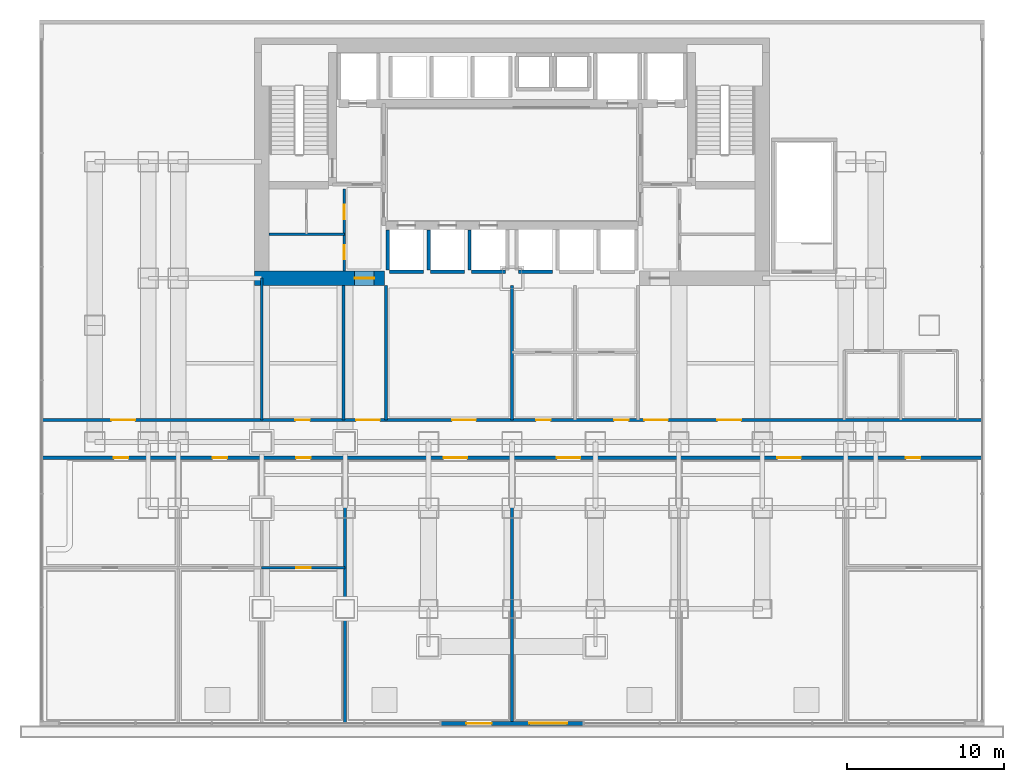
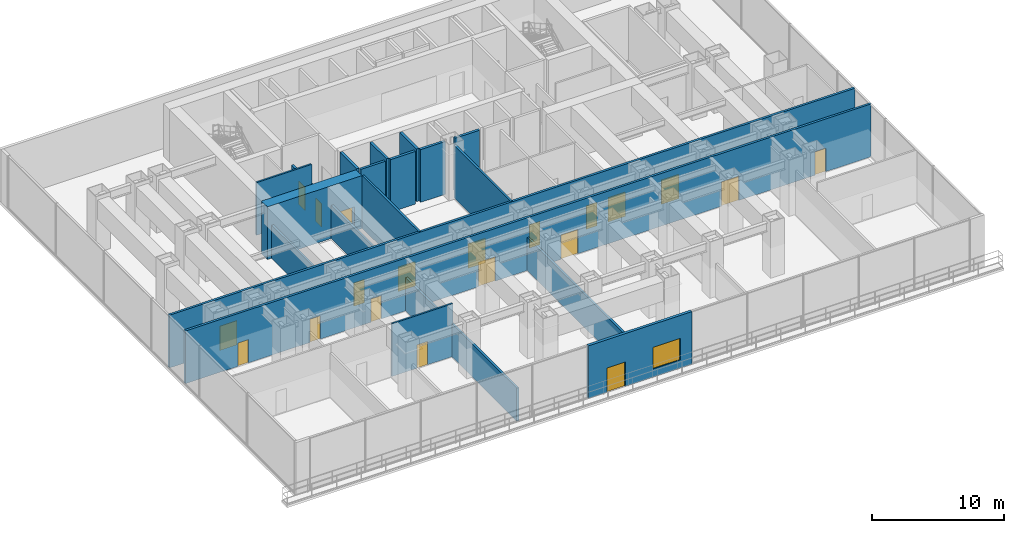
# One storey, part 8 of 12: 20 doors, 20 walls, 1 window, 21 openings.
"""IFC4 building model written with IfcOpenShell, lengths in metres."""

from ifc_helpers import new_model, si_unit, direction, frame, frame_2d, origin, place, context, subcontext, project, spatial, rectangle, extrude, material, layer, layer_set, type_object, element, fill, save


model = new_model("IFC4")

# Units and contexts
model_context = context("Model", 3, precision=1e-05, world=origin(), true_north=direction((0.0, 1.0)))
body_context = subcontext(model_context, "Body", "Model", "MODEL_VIEW")
ifc_project = project(units=[si_unit("LENGTHUNIT", "METRE"), si_unit("AREAUNIT", "SQUARE_METRE"), si_unit("VOLUMEUNIT", "CUBIC_METRE"), si_unit("PLANEANGLEUNIT", "RADIAN"), si_unit("MASSUNIT", "GRAM", prefix="KILO")], contexts=[model_context])

# Site, building, storey
site_placement = place(None, origin())
site = spatial("IfcSite", under=ifc_project, at=site_placement, CompositionType="ELEMENT")
building_placement = place(site_placement, origin())
building = spatial("IfcBuilding", under=site, at=building_placement, Name="Qianlan Lanfeng Residences", CompositionType="ELEMENT")
storey_placement = place(building_placement, frame((0.0, 0.0, 19.0)))
storey = spatial("IfcBuildingStorey", under=building, at=storey_placement, Name="L04", CompositionType="ELEMENT", Elevation=19.0)

# Wall, opening, door
ifc_material_1 = material(Name="Concrete C70", Category="concrete")
ifc_layer_1 = layer(ifc_material_1, 0.89990234375)
ifc_layer_set_1 = layer_set([ifc_layer_1], Name="Concrete C70")
wall_type_1 = type_object("IfcWallType", Name="CW-RC-900", PredefinedType="SHEAR", material=ifc_layer_set_1)
wall_1_placement = place(storey_placement, frame((10.14990234375, 25.199951171875, 0.0), z_axis=(0.0, 0.0, 1.0), x_axis=(1.0, 0.0, 0.0)))
wall_1 = element("IfcWall", 1, at=wall_1_placement, inside=storey, type_object=wall_type_1, Name="L04 Core Shear Wall SW", PredefinedType="SHEAR", context=body_context, shape_type="SweptSolid", body=[
    extrude(rectangle(XDim=8.25, YDim=0.89990234375, at=frame_2d((4.125, 0.0))), origin(), (0.0, 0.0, 1.0), 4.860107421875),
])
opening_1_placement = place(wall_1_placement, frame((6.35009765625, 0.0, 0.0)))
opening_1 = element("IfcOpeningElement", 2, at=opening_1_placement, cuts=wall_1, Name="Opening L04-D01", PredefinedType="OPENING", context=body_context, shape_type="SweptSolid", body=[
    extrude(rectangle(XDim=1.25, YDim=2.199951171875, at=frame_2d((0.625, 1.10009765625))), frame((0.0, 0.4599609375, 0.0), z_axis=(0.0, -1.0, 0.0), x_axis=(1.0, 0.0, 0.0)), (0.0, 0.0, 1.0), 0.919921875),
])
ifc_material_2 = material(Name="Painted Galvanised Steel Fire Door", Category="steel")
door_type_1 = type_object("IfcDoorType", Name="DT-FFL", OperationType="NOTDEFINED", PredefinedType="DOOR", material=ifc_material_2)
door_1_placement = place(opening_1_placement, frame((1.25, 0.0, 0.0), z_axis=(0.0, 0.0, 1.0), x_axis=(-1.0, 0.0, 0.0)))
door_1 = element("IfcDoor", 3, at=door_1_placement, inside=storey, type_object=door_type_1, Name="L04 West Core Lobby Smoke Door L04-D01 (DT-FFL)", OperationType="SINGLE_SWING_RIGHT", OverallHeight=2.199951171875, OverallWidth=1.25, PredefinedType="DOOR", context=body_context, shape_type="SweptSolid", body=[
    extrude(rectangle(XDim=1.25, YDim=2.199951171875, at=frame_2d((0.625, 1.10009765625))), frame((0.0, 0.02490234375, 0.0), z_axis=(0.0, -1.0, 0.0), x_axis=(1.0, 0.0, 0.0)), (0.0, 0.0, 1.0), 0.050048828125),
])
fill(opening_1, door_1)

# Wall, openings, door, window
ifc_material_3 = material(Name="Concrete C42", Category="concrete")
ifc_layer_2 = layer(ifc_material_3, 0.239990234375)
ifc_layer_set_2 = layer_set([ifc_layer_2], Name="Concrete C42")
wall_type_2 = type_object("IfcWallType", Name="EW-240", PredefinedType="SOLIDWALL", material=ifc_layer_set_2)
wall_2_placement = place(storey_placement, frame((22.0, -3.080078125, 0.0), z_axis=(0.0, 0.0, 1.0), x_axis=(1.0, 0.0, 0.0)))
wall_2 = element("IfcWall", 4, at=wall_2_placement, inside=storey, type_object=wall_type_2, Name="L04 South Terrace Access Exterior Wall", PredefinedType="SOLIDWALL", context=body_context, shape_type="SweptSolid", body=[
    extrude(rectangle(XDim=9.0, YDim=0.239990234375, at=frame_2d((4.5, 0.0))), origin(), (0.0, 0.0, 1.0), 4.860107421875),
])
opening_2_placement = place(wall_2_placement, frame((1.60009765625, 0.0, 0.0)))
opening_2 = element("IfcOpeningElement", 5, at=opening_2_placement, cuts=wall_2, Name="Opening L04-D-TER1", PredefinedType="OPENING", context=body_context, shape_type="SweptSolid", body=[
    extrude(rectangle(XDim=1.60009765625, YDim=2.25, at=frame_2d((0.800048828125, 1.125))), frame((0.0, 0.1298828125, 0.0), z_axis=(0.0, -1.0, 0.0), x_axis=(1.0, 0.0, 0.0)), (0.0, 0.0, 1.0), 0.260009765625),
])
opening_3_placement = place(wall_2_placement, frame((5.60009765625, 0.0, 0.75)))
opening_3 = element("IfcOpeningElement", 6, at=opening_3_placement, cuts=wall_2, Name="Opening W-05", PredefinedType="OPENING", context=body_context, shape_type="SweptSolid", body=[
    extrude(rectangle(XDim=2.39990234375, YDim=2.0, at=frame_2d((1.199951171875, 1.0))), frame((0.0, 0.1298828125, 0.0), z_axis=(0.0, -1.0, 0.0), x_axis=(1.0, 0.0, 0.0)), (0.0, 0.0, 1.0), 0.260009765625),
])
ifc_material_4 = material(Name="Anodised Bronze Aluminium Framed Glass", Category="aluminium")
door_type_2 = type_object("IfcDoorType", Name="DT-TER1", OperationType="NOTDEFINED", PredefinedType="DOOR", material=ifc_material_4)
door_2_placement = place(opening_2_placement, frame((1.60009765625, 0.0, 0.0), z_axis=(0.0, 0.0, 1.0), x_axis=(-1.0, 0.0, 0.0)))
door_2 = element("IfcDoor", 7, at=door_2_placement, inside=storey, type_object=door_type_2, Name="L04 Planted Podium Terrace Door", OperationType="DOUBLE_DOOR_SINGLE_SWING", OverallHeight=2.25, OverallWidth=1.60009765625, PredefinedType="DOOR", context=body_context, shape_type="SweptSolid", body=[
    extrude(rectangle(XDim=1.60009765625, YDim=2.25, at=frame_2d((0.800048828125, 1.125))), frame((0.0, 0.02490234375, 0.0), z_axis=(0.0, -1.0, 0.0), x_axis=(1.0, 0.0, 0.0)), (0.0, 0.0, 1.0), 0.050048828125),
])
fill(opening_2, door_2)
ifc_material_5 = material(Name="Anodised Bronze Aluminium Framed Double Glazing", Category="aluminium")
window_type = type_object("IfcWindowType", Name="W-05", PartitioningType="SINGLE_PANEL", PredefinedType="WINDOW", material=ifc_material_5)
window_placement = place(opening_3_placement, origin())
window = element("IfcWindow", 8, at=window_placement, inside=storey, type_object=window_type, Name="L04 Podium Feature Window", OverallHeight=2.0, OverallWidth=2.39990234375, PartitioningType="SINGLE_PANEL", PredefinedType="WINDOW", context=body_context, shape_type="SweptSolid", body=[
    extrude(rectangle(XDim=2.39990234375, YDim=2.0, at=frame_2d((1.199951171875, 1.0))), frame((0.0, 0.030029296875, 0.0), z_axis=(0.0, -1.0, 0.0), x_axis=(1.0, 0.0, 0.0)), (0.0, 0.0, 1.0), 0.06005859375),
])
fill(opening_3, window)

# Wall
ifc_material_6 = material(Name="Acoustic Drywall Partition 150 mm")
ifc_layer_3 = layer(ifc_material_6, 0.14990234375)
ifc_layer_set_3 = layer_set([ifc_layer_3], Name="Acoustic Drywall Partition 150 mm")
wall_type_3 = type_object("IfcWallType", Name="PW-150", PredefinedType="PARTITIONING", material=ifc_layer_set_3)
wall_3_placement = place(storey_placement, frame((11.050048828125, 28.0, 0.0), z_axis=(0.0, 0.0, 1.0), x_axis=(1.0, 0.0, 0.0)))
element("IfcWall", 9, at=wall_3_placement, inside=storey, type_object=wall_type_3, Name="L04 Core West H4", PredefinedType="PARTITIONING", context=body_context, shape_type="SweptSolid", body=[
    extrude(rectangle(XDim=4.800048828125, YDim=0.14990234375, at=frame_2d((2.39990234375, 0.0))), origin(), (0.0, 0.0, 1.0), 4.860107421875),
])

# Wall, opening, door
wall_4_placement = place(storey_placement, frame((10.60009765625, 6.800048828125, 0.0), z_axis=(0.0, 0.0, 1.0), x_axis=(1.0, 0.0, 0.0)))
wall_4 = element("IfcWall", 10, at=wall_4_placement, inside=storey, type_object=wall_type_3, Name="L04 Executive Suite Inner Wall 3", PredefinedType="PARTITIONING", context=body_context, shape_type="SweptSolid", body=[
    extrude(rectangle(XDim=5.2998046875, YDim=0.14990234375, at=frame_2d((2.64990234375, 0.0))), origin(), (0.0, 0.0, 1.0), 4.860107421875),
])
opening_4_placement = place(wall_4_placement, frame((2.18994140625, 0.0, 0.0)))
opening_4 = element("IfcOpeningElement", 11, at=opening_4_placement, cuts=wall_4, Name="Opening L04-D19", PredefinedType="OPENING", context=body_context, shape_type="SweptSolid", body=[
    extrude(rectangle(XDim=0.919921875, YDim=2.14990234375, at=frame_2d((0.4599609375, 1.074951171875))), frame((0.0, 0.0849609375, 0.0), z_axis=(0.0, -1.0, 0.0), x_axis=(1.0, 0.0, 0.0)), (0.0, 0.0, 1.0), 0.169921875),
])
ifc_material_7 = material(Name="Glazed Timber Kitchen/Study Door", Category="wood")
door_type_3 = type_object("IfcDoorType", Name="DT-INT", OperationType="NOTDEFINED", PredefinedType="DOOR", material=ifc_material_7)
door_3_placement = place(opening_4_placement, origin())
door_3 = element("IfcDoor", 12, at=door_3_placement, inside=storey, type_object=door_type_3, Name="L04 Executive Salon 3 Door L04-D19 (DT-INT)", OperationType="SINGLE_SWING_LEFT", OverallHeight=2.14990234375, OverallWidth=0.919921875, PredefinedType="DOOR", context=body_context, shape_type="SweptSolid", body=[
    extrude(rectangle(XDim=0.919921875, YDim=2.14990234375, at=frame_2d((0.4599609375, 1.074951171875))), frame((0.0, 0.02490234375, 0.0), z_axis=(0.0, -1.0, 0.0), x_axis=(1.0, 0.0, 0.0)), (0.0, 0.0, 1.0), 0.050048828125),
])
fill(opening_4, door_3)

# Wall, openings, doors
ifc_material_8 = material(Name="Double-Layer Acoustic Gypsum Stud Wall 180 mm")
ifc_layer_4 = layer(ifc_material_8, 0.179931640625)
ifc_layer_set_4 = layer_set([ifc_layer_4], Name="Double-Layer Acoustic Gypsum Stud Wall 180 mm")
wall_type_4 = type_object("IfcWallType", Name="PW-180", PredefinedType="PARTITIONING", material=ifc_layer_set_4)
wall_5_placement = place(storey_placement, frame((15.85009765625, 25.64990234375, 0.0), z_axis=(0.0, 0.0, 1.0), x_axis=(0.0, 1.0, 0.0)))
wall_5 = element("IfcWall", 13, at=wall_5_placement, inside=storey, type_object=wall_type_4, Name="L04 Core West Service Room Wall", PredefinedType="PARTITIONING", context=body_context, shape_type="SweptSolid", body=[
    extrude(rectangle(XDim=5.2001953125, YDim=0.179931640625, at=frame_2d((2.60009765625, 0.0))), origin(), (0.0, 0.0, 1.0), 3.054931640625),
])
opening_5_placement = place(wall_5_placement, frame((0.75, 0.0, 0.0)))
opening_5 = element("IfcOpeningElement", 14, at=opening_5_placement, cuts=wall_5, Name="Opening L04-D09", PredefinedType="OPENING", context=body_context, shape_type="SweptSolid", body=[
    extrude(rectangle(XDim=0.89990234375, YDim=2.14990234375, at=frame_2d((0.449951171875, 1.074951171875))), frame((0.0, 0.10009765625, 0.0), z_axis=(0.0, -1.0, 0.0), x_axis=(1.0, 0.0, 0.0)), (0.0, 0.0, 1.0), 0.199951171875),
])
opening_6_placement = place(wall_5_placement, frame((3.2900390625, 0.0, 0.0)))
opening_6 = element("IfcOpeningElement", 15, at=opening_6_placement, cuts=wall_5, Name="Opening L04-D10", PredefinedType="OPENING", context=body_context, shape_type="SweptSolid", body=[
    extrude(rectangle(XDim=0.919921875, YDim=2.14990234375, at=frame_2d((0.4599609375, 1.074951171875))), frame((0.0, 0.10009765625, 0.0), z_axis=(0.0, -1.0, 0.0), x_axis=(1.0, 0.0, 0.0)), (0.0, 0.0, 1.0), 0.199951171875),
])
door_4_placement = place(opening_6_placement, origin())
door_4 = element("IfcDoor", 16, at=door_4_placement, inside=storey, type_object=door_type_3, Name="L04 Janitor Hall Door L04-D10 (DT-INT)", OperationType="SINGLE_SWING_RIGHT", OverallHeight=2.14990234375, OverallWidth=0.919921875, PredefinedType="DOOR", context=body_context, shape_type="SweptSolid", body=[
    extrude(rectangle(XDim=0.919921875, YDim=2.14990234375, at=frame_2d((0.4599609375, 1.074951171875))), frame((0.0, 0.02490234375, 0.0), z_axis=(0.0, -1.0, 0.0), x_axis=(1.0, 0.0, 0.0)), (0.0, 0.0, 1.0), 0.050048828125),
])
fill(opening_6, door_4)
ifc_material_9 = material(Name="Moisture-Resistant Timber Leaf", Category="wood")
door_type_4 = type_object("IfcDoorType", Name="DT-WC", OperationType="NOTDEFINED", PredefinedType="DOOR", material=ifc_material_9)
door_5_placement = place(opening_5_placement, origin())
door_5 = element("IfcDoor", 17, at=door_5_placement, inside=storey, type_object=door_type_4, Name="L04 Staff WC Door L04-D09 (DT-WC)", OperationType="SINGLE_SWING_LEFT", OverallHeight=2.14990234375, OverallWidth=0.89990234375, PredefinedType="DOOR", context=body_context, shape_type="SweptSolid", body=[
    extrude(rectangle(XDim=0.89990234375, YDim=2.14990234375, at=frame_2d((0.449951171875, 1.074951171875))), frame((0.0, 0.02490234375, 0.0), z_axis=(0.0, -1.0, 0.0), x_axis=(1.0, 0.0, 0.0)), (0.0, 0.0, 1.0), 0.050048828125),
])
fill(opening_5, door_5)

# Walls
for number, where, z_axis, x_axis, name in (
    (18, (15.89990234375, -3.080078125, 0.0), (0.0, 0.0, 1.0), (0.0, 1.0, 0.0), "L04 South Suite Partition 3"),
    (19, (26.5, -3.080078125, 0.0), (0.0, 0.0, 1.0), (0.0, 1.0, 0.0), "L04 South Suite Partition 4"),
):
    element("IfcWall", number, at=place(storey_placement, frame(where, z_axis=z_axis, x_axis=x_axis)), inside=storey, type_object=wall_type_4, Name=name, PredefinedType="PARTITIONING", context=body_context, shape_type="SweptSolid", body=[
        extrude(rectangle(XDim=16.880126953125, YDim=0.179931640625, at=frame_2d((8.43994140625, 0.0))), origin(), (0.0, 0.0, 1.0), 3.054931640625),
    ])
wall_6_placement = place(storey_placement, frame((10.60009765625, 16.199951171875, 0.0), z_axis=(0.0, 0.0, 1.0), x_axis=(0.0, 1.0, 0.0)))
element("IfcWall", 20, at=wall_6_placement, inside=storey, type_object=wall_type_4, Name="L04 North Suite West Wall", PredefinedType="PARTITIONING", context=body_context, shape_type="SweptSolid", body=[
    extrude(rectangle(XDim=9.0, YDim=0.179931640625, at=frame_2d((4.5, 0.0))), origin(), (0.0, 0.0, 1.0), 3.054931640625),
])
wall_7_placement = place(storey_placement, frame((15.800048828125, 16.199951171875, 0.0), z_axis=(0.0, 0.0, 1.0), x_axis=(0.0, 1.0, 0.0)))
element("IfcWall", 21, at=wall_7_placement, inside=storey, type_object=wall_type_4, Name="L04 North Core West Passage Wall", PredefinedType="PARTITIONING", context=body_context, shape_type="SweptSolid", body=[
    extrude(rectangle(XDim=8.550048828125, YDim=0.179931640625, at=frame_2d((4.27490234375, 0.0))), origin(), (0.0, 0.0, 1.0), 3.054931640625),
])
for number, where, z_axis, x_axis, name in (
    (22, (18.5, 16.199951171875, 0.0), (0.0, 0.0, 1.0), (0.0, 1.0, 0.0), "L04 North Central West Wall"),
    (23, (26.5, 16.199951171875, 0.0), (0.0, 0.0, 1.0), (0.0, 1.0, 0.0), "L04 North Central Mid Wall"),
):
    element("IfcWall", number, at=place(storey_placement, frame(where, z_axis=z_axis, x_axis=x_axis)), inside=storey, type_object=wall_type_4, Name=name, PredefinedType="PARTITIONING", context=body_context, shape_type="SweptSolid", body=[
        extrude(rectangle(XDim=8.550048828125, YDim=0.179931640625, at=frame_2d((4.27490234375, 0.0))), origin(), (0.0, 0.0, 1.0), 4.860107421875),
    ])

# Wall, openings, doors
ifc_material_10 = material(Name="Autoclaved Aerated Concrete Blockwork 200 mm", Category="masonry")
ifc_layer_5 = layer(ifc_material_10, 0.199951171875)
ifc_layer_set_5 = layer_set([ifc_layer_5], Name="Autoclaved Aerated Concrete Blockwork 200 mm")
wall_type_5 = type_object("IfcWallType", Name="PW-200", PredefinedType="PARTITIONING", material=ifc_layer_set_5)
wall_8_placement = place(storey_placement, frame((-3.3798828125, 13.800048828125, 0.0), z_axis=(0.0, 0.0, 1.0), x_axis=(1.0, 0.0, 0.0)))
wall_8 = element("IfcWall", 24, at=wall_8_placement, inside=storey, type_object=wall_type_5, Name="L04 Double-Loaded Concourse South Wall", PredefinedType="PARTITIONING", context=body_context, shape_type="SweptSolid", body=[
    extrude(rectangle(XDim=59.759765625, YDim=0.199951171875, at=frame_2d((29.8798828125, 0.0))), origin(), (0.0, 0.0, 1.0), 4.860107421875),
])
opening_7_placement = place(wall_8_placement, frame((4.594970703125, 0.0, 0.0)))
opening_7 = element("IfcOpeningElement", 25, at=opening_7_placement, cuts=wall_8, Name="Opening L04-D21", PredefinedType="OPENING", context=body_context, shape_type="SweptSolid", body=[
    extrude(rectangle(XDim=0.919921875, YDim=2.14990234375, at=frame_2d((0.4599609375, 1.074951171875))), frame((0.0, 0.10986328125, 0.0), z_axis=(0.0, -1.0, 0.0), x_axis=(1.0, 0.0, 0.0)), (0.0, 0.0, 1.0), 0.219970703125),
])
opening_8_placement = place(wall_8_placement, frame((10.8701171875, 0.0, 0.0)))
opening_8 = element("IfcOpeningElement", 26, at=opening_8_placement, cuts=wall_8, Name="Opening L04-D22", PredefinedType="OPENING", context=body_context, shape_type="SweptSolid", body=[
    extrude(rectangle(XDim=0.919921875, YDim=2.14990234375, at=frame_2d((0.4599609375, 1.074951171875))), frame((0.0, 0.10986328125, 0.0), z_axis=(0.0, -1.0, 0.0), x_axis=(1.0, 0.0, 0.0)), (0.0, 0.0, 1.0), 0.219970703125),
])
opening_9_placement = place(wall_8_placement, frame((16.169921875, 0.0, 0.0)))
opening_9 = element("IfcOpeningElement", 27, at=opening_9_placement, cuts=wall_8, Name="Opening L04-D23", PredefinedType="OPENING", context=body_context, shape_type="SweptSolid", body=[
    extrude(rectangle(XDim=0.919921875, YDim=2.14990234375, at=frame_2d((0.4599609375, 1.074951171875))), frame((0.0, 0.10986328125, 0.0), z_axis=(0.0, -1.0, 0.0), x_axis=(1.0, 0.0, 0.0)), (0.0, 0.0, 1.0), 0.219970703125),
])
opening_10_placement = place(wall_8_placement, frame((25.530029296875, 0.0, 0.0)))
opening_10 = element("IfcOpeningElement", 28, at=opening_10_placement, cuts=wall_8, Name="Opening L04-D24", PredefinedType="OPENING", context=body_context, shape_type="SweptSolid", body=[
    extrude(rectangle(XDim=1.5, YDim=2.25, at=frame_2d((0.75, 1.125))), frame((0.0, 0.10986328125, 0.0), z_axis=(0.0, -1.0, 0.0), x_axis=(1.0, 0.0, 0.0)), (0.0, 0.0, 1.0), 0.219970703125),
])
opening_11_placement = place(wall_8_placement, frame((32.72998046875, 0.0, 0.0)))
opening_11 = element("IfcOpeningElement", 29, at=opening_11_placement, cuts=wall_8, Name="Opening L04-D25", PredefinedType="OPENING", context=body_context, shape_type="SweptSolid", body=[
    extrude(rectangle(XDim=1.5, YDim=2.25, at=frame_2d((0.75, 1.125))), frame((0.0, 0.10986328125, 0.0), z_axis=(0.0, -1.0, 0.0), x_axis=(1.0, 0.0, 0.0)), (0.0, 0.0, 1.0), 0.219970703125),
])
opening_12_placement = place(wall_8_placement, frame((46.72998046875, 0.0, 0.0)))
opening_12 = element("IfcOpeningElement", 30, at=opening_12_placement, cuts=wall_8, Name="Opening L04-D26", PredefinedType="OPENING", context=body_context, shape_type="SweptSolid", body=[
    extrude(rectangle(XDim=1.5, YDim=2.25, at=frame_2d((0.75, 1.125))), frame((0.0, 0.10986328125, 0.0), z_axis=(0.0, -1.0, 0.0), x_axis=(1.0, 0.0, 0.0)), (0.0, 0.0, 1.0), 0.219970703125),
])
opening_13_placement = place(wall_8_placement, frame((54.89501953125, 0.0, 0.0)))
opening_13 = element("IfcOpeningElement", 31, at=opening_13_placement, cuts=wall_8, Name="Opening L04-D27", PredefinedType="OPENING", context=body_context, shape_type="SweptSolid", body=[
    extrude(rectangle(XDim=0.919921875, YDim=2.14990234375, at=frame_2d((0.4599609375, 1.074951171875))), frame((0.0, 0.10986328125, 0.0), z_axis=(0.0, -1.0, 0.0), x_axis=(1.0, 0.0, 0.0)), (0.0, 0.0, 1.0), 0.219970703125),
])
ifc_material_11 = material(Name="Timber Veneer Acoustic Fire Door", Category="wood")
door_type_5 = type_object("IfcDoorType", Name="DT-COR1", OperationType="NOTDEFINED", PredefinedType="DOOR", material=ifc_material_11)
door_6_placement = place(opening_10_placement, frame((1.5, 0.0, 0.0), z_axis=(0.0, 0.0, 1.0), x_axis=(-1.0, 0.0, 0.0)))
door_6 = element("IfcDoor", 32, at=door_6_placement, inside=storey, type_object=door_type_5, Name="L04 Banquet Dining Room Door L04-D24 (DT-COR1)", OperationType="DOUBLE_DOOR_SINGLE_SWING", OverallHeight=2.25, OverallWidth=1.5, PredefinedType="DOOR", context=body_context, shape_type="SweptSolid", body=[
    extrude(rectangle(XDim=1.5, YDim=2.25, at=frame_2d((0.75, 1.125))), frame((0.0, 0.02490234375, 0.0), z_axis=(0.0, -1.0, 0.0), x_axis=(1.0, 0.0, 0.0)), (0.0, 0.0, 1.0), 0.050048828125),
])
fill(opening_10, door_6)
door_7_placement = place(opening_11_placement, frame((1.5, 0.0, 0.0), z_axis=(0.0, 0.0, 1.0), x_axis=(-1.0, 0.0, 0.0)))
door_7 = element("IfcDoor", 33, at=door_7_placement, inside=storey, type_object=door_type_5, Name="L04 Private Banquet Dining Room Door L04-D25 (DT-COR1)", OperationType="DOUBLE_DOOR_SINGLE_SWING", OverallHeight=2.25, OverallWidth=1.5, PredefinedType="DOOR", context=body_context, shape_type="SweptSolid", body=[
    extrude(rectangle(XDim=1.5, YDim=2.25, at=frame_2d((0.75, 1.125))), frame((0.0, 0.02490234375, 0.0), z_axis=(0.0, -1.0, 0.0), x_axis=(1.0, 0.0, 0.0)), (0.0, 0.0, 1.0), 0.050048828125),
])
fill(opening_11, door_7)
door_8_placement = place(opening_12_placement, frame((1.5, 0.0, 0.0), z_axis=(0.0, 0.0, 1.0), x_axis=(-1.0, 0.0, 0.0)))
door_8 = element("IfcDoor", 34, at=door_8_placement, inside=storey, type_object=door_type_5, Name="L04 Tea Salon Door L04-D26 (DT-COR1)", OperationType="DOUBLE_DOOR_SINGLE_SWING", OverallHeight=2.25, OverallWidth=1.5, PredefinedType="DOOR", context=body_context, shape_type="SweptSolid", body=[
    extrude(rectangle(XDim=1.5, YDim=2.25, at=frame_2d((0.75, 1.125))), frame((0.0, 0.02490234375, 0.0), z_axis=(0.0, -1.0, 0.0), x_axis=(1.0, 0.0, 0.0)), (0.0, 0.0, 1.0), 0.050048828125),
])
fill(opening_12, door_8)
door_9_placement = place(opening_7_placement, frame((0.919921875, 0.0, 0.0), z_axis=(0.0, 0.0, 1.0), x_axis=(-1.0, 0.0, 0.0)))
door_9 = element("IfcDoor", 35, at=door_9_placement, inside=storey, type_object=door_type_3, Name="L04 Management Office Door L04-D21 (DT-INT)", OperationType="SINGLE_SWING_RIGHT", OverallHeight=2.14990234375, OverallWidth=0.919921875, PredefinedType="DOOR", context=body_context, shape_type="SweptSolid", body=[
    extrude(rectangle(XDim=0.919921875, YDim=2.14990234375, at=frame_2d((0.4599609375, 1.074951171875))), frame((0.0, 0.02490234375, 0.0), z_axis=(0.0, -1.0, 0.0), x_axis=(1.0, 0.0, 0.0)), (0.0, 0.0, 1.0), 0.050048828125),
])
fill(opening_7, door_9)
door_10_placement = place(opening_8_placement, origin())
door_10 = element("IfcDoor", 36, at=door_10_placement, inside=storey, type_object=door_type_3, Name="L04 Management Office Door L04-D22 (DT-INT)", OperationType="SINGLE_SWING_RIGHT", OverallHeight=2.14990234375, OverallWidth=0.919921875, PredefinedType="DOOR", context=body_context, shape_type="SweptSolid", body=[
    extrude(rectangle(XDim=0.919921875, YDim=2.14990234375, at=frame_2d((0.4599609375, 1.074951171875))), frame((0.0, 0.02490234375, 0.0), z_axis=(0.0, -1.0, 0.0), x_axis=(1.0, 0.0, 0.0)), (0.0, 0.0, 1.0), 0.050048828125),
])
fill(opening_8, door_10)
door_11_placement = place(opening_9_placement, origin())
door_11 = element("IfcDoor", 37, at=door_11_placement, inside=storey, type_object=door_type_3, Name="L04 Management Office Door L04-D23 (DT-INT)", OperationType="SINGLE_SWING_LEFT", OverallHeight=2.14990234375, OverallWidth=0.919921875, PredefinedType="DOOR", context=body_context, shape_type="SweptSolid", body=[
    extrude(rectangle(XDim=0.919921875, YDim=2.14990234375, at=frame_2d((0.4599609375, 1.074951171875))), frame((0.0, 0.02490234375, 0.0), z_axis=(0.0, -1.0, 0.0), x_axis=(1.0, 0.0, 0.0)), (0.0, 0.0, 1.0), 0.050048828125),
])
fill(opening_9, door_11)
door_12_placement = place(opening_13_placement, origin())
door_12 = element("IfcDoor", 38, at=door_12_placement, inside=storey, type_object=door_type_3, Name="L04 Management Office Door L04-D27 (DT-INT)", OperationType="SINGLE_SWING_LEFT", OverallHeight=2.14990234375, OverallWidth=0.919921875, PredefinedType="DOOR", context=body_context, shape_type="SweptSolid", body=[
    extrude(rectangle(XDim=0.919921875, YDim=2.14990234375, at=frame_2d((0.4599609375, 1.074951171875))), frame((0.0, 0.02490234375, 0.0), z_axis=(0.0, -1.0, 0.0), x_axis=(1.0, 0.0, 0.0)), (0.0, 0.0, 1.0), 0.050048828125),
])
fill(opening_13, door_12)

wall_9_placement = place(storey_placement, frame((-3.3798828125, 16.199951171875, 0.0), z_axis=(0.0, 0.0, 1.0), x_axis=(1.0, 0.0, 0.0)))
wall_9 = element("IfcWall", 39, at=wall_9_placement, inside=storey, type_object=wall_type_5, Name="L04 Double-Loaded Concourse North Wall", PredefinedType="PARTITIONING", context=body_context, shape_type="SweptSolid", body=[
    extrude(rectangle(XDim=59.759765625, YDim=0.199951171875, at=frame_2d((29.8798828125, 0.0))), origin(), (0.0, 0.0, 1.0), 4.860107421875),
])
opening_14_placement = place(wall_9_placement, frame((16.1201171875, 0.0, 0.0)))
opening_14 = element("IfcOpeningElement", 40, at=opening_14_placement, cuts=wall_9, Name="Opening L04-D30", PredefinedType="OPENING", context=body_context, shape_type="SweptSolid", body=[
    extrude(rectangle(XDim=0.919921875, YDim=2.14990234375, at=frame_2d((0.4599609375, 1.074951171875))), frame((0.0, 0.10986328125, 0.0), z_axis=(0.0, -1.0, 0.0), x_axis=(1.0, 0.0, 0.0)), (0.0, 0.0, 1.0), 0.219970703125),
])
opening_15_placement = place(wall_9_placement, frame((19.97998046875, 0.0, 0.0)))
opening_15 = element("IfcOpeningElement", 41, at=opening_15_placement, cuts=wall_9, Name="Opening L04-D31", PredefinedType="OPENING", context=body_context, shape_type="SweptSolid", body=[
    extrude(rectangle(XDim=1.5, YDim=2.25, at=frame_2d((0.75, 1.125))), frame((0.0, 0.10986328125, 0.0), z_axis=(0.0, -1.0, 0.0), x_axis=(1.0, 0.0, 0.0)), (0.0, 0.0, 1.0), 0.219970703125),
])
opening_16_placement = place(wall_9_placement, frame((26.080078125, 0.0, 0.0)))
opening_16 = element("IfcOpeningElement", 42, at=opening_16_placement, cuts=wall_9, Name="Opening L04-D32", PredefinedType="OPENING", context=body_context, shape_type="SweptSolid", body=[
    extrude(rectangle(XDim=1.5, YDim=2.25, at=frame_2d((0.75, 1.125))), frame((0.0, 0.10986328125, 0.0), z_axis=(0.0, -1.0, 0.0), x_axis=(1.0, 0.0, 0.0)), (0.0, 0.0, 1.0), 0.219970703125),
])
opening_17_placement = place(wall_9_placement, frame((31.419921875, 0.0, 0.0)))
opening_17 = element("IfcOpeningElement", 43, at=opening_17_placement, cuts=wall_9, Name="Opening L04-D33", PredefinedType="OPENING", context=body_context, shape_type="SweptSolid", body=[
    extrude(rectangle(XDim=0.919921875, YDim=2.14990234375, at=frame_2d((0.4599609375, 1.074951171875))), frame((0.0, 0.10986328125, 0.0), z_axis=(0.0, -1.0, 0.0), x_axis=(1.0, 0.0, 0.0)), (0.0, 0.0, 1.0), 0.219970703125),
])
opening_18_placement = place(wall_9_placement, frame((36.3701171875, 0.0, 0.0)))
opening_18 = element("IfcOpeningElement", 44, at=opening_18_placement, cuts=wall_9, Name="Opening L04-D34", PredefinedType="OPENING", context=body_context, shape_type="SweptSolid", body=[
    extrude(rectangle(XDim=0.919921875, YDim=2.14990234375, at=frame_2d((0.4599609375, 1.074951171875))), frame((0.0, 0.10986328125, 0.0), z_axis=(0.0, -1.0, 0.0), x_axis=(1.0, 0.0, 0.0)), (0.0, 0.0, 1.0), 0.219970703125),
])
opening_19_placement = place(wall_9_placement, frame((38.280029296875, 0.0, 0.0)))
opening_19 = element("IfcOpeningElement", 45, at=opening_19_placement, cuts=wall_9, Name="Opening L04-D35", PredefinedType="OPENING", context=body_context, shape_type="SweptSolid", body=[
    extrude(rectangle(XDim=1.5, YDim=2.25, at=frame_2d((0.75, 1.125))), frame((0.0, 0.10986328125, 0.0), z_axis=(0.0, -1.0, 0.0), x_axis=(1.0, 0.0, 0.0)), (0.0, 0.0, 1.0), 0.219970703125),
])
opening_20_placement = place(wall_9_placement, frame((42.929931640625, 0.0, 0.0)))
opening_20 = element("IfcOpeningElement", 46, at=opening_20_placement, cuts=wall_9, Name="Opening L04-D36", PredefinedType="OPENING", context=body_context, shape_type="SweptSolid", body=[
    extrude(rectangle(XDim=1.5, YDim=2.25, at=frame_2d((0.75, 1.125))), frame((0.0, 0.10986328125, 0.0), z_axis=(0.0, -1.0, 0.0), x_axis=(1.0, 0.0, 0.0)), (0.0, 0.0, 1.0), 0.219970703125),
])
opening_21_placement = place(wall_9_placement, frame((4.43994140625, 0.0, 0.0)))
opening_21 = element("IfcOpeningElement", 47, at=opening_21_placement, cuts=wall_9, Name="Opening L04-D37", PredefinedType="OPENING", context=body_context, shape_type="SweptSolid", body=[
    extrude(rectangle(XDim=1.5, YDim=2.25, at=frame_2d((0.75, 1.125))), frame((0.0, 0.10986328125, 0.0), z_axis=(0.0, -1.0, 0.0), x_axis=(1.0, 0.0, 0.0)), (0.0, 0.0, 1.0), 0.219970703125),
])
door_13_placement = place(opening_15_placement, frame((1.5, 0.0, 0.0), z_axis=(0.0, 0.0, 1.0), x_axis=(-1.0, 0.0, 0.0)))
door_13 = element("IfcDoor", 48, at=door_13_placement, inside=storey, type_object=door_type_5, Name="L04 West Core Concourse Portal L04-D31 (DT-COR1)", OperationType="DOUBLE_DOOR_SINGLE_SWING", OverallHeight=2.25, OverallWidth=1.5, PredefinedType="DOOR", context=body_context, shape_type="SweptSolid", body=[
    extrude(rectangle(XDim=1.5, YDim=2.25, at=frame_2d((0.75, 1.125))), frame((0.0, 0.02490234375, 0.0), z_axis=(0.0, -1.0, 0.0), x_axis=(1.0, 0.0, 0.0)), (0.0, 0.0, 1.0), 0.050048828125),
])
fill(opening_15, door_13)
door_14_placement = place(opening_16_placement, origin())
door_14 = element("IfcDoor", 49, at=door_14_placement, inside=storey, type_object=door_type_5, Name="L04 Private Cinema Room Door L04-D32 (DT-COR1)", OperationType="DOUBLE_DOOR_SINGLE_SWING", OverallHeight=2.25, OverallWidth=1.5, PredefinedType="DOOR", context=body_context, shape_type="SweptSolid", body=[
    extrude(rectangle(XDim=1.5, YDim=2.25, at=frame_2d((0.75, 1.125))), frame((0.0, 0.02490234375, 0.0), z_axis=(0.0, -1.0, 0.0), x_axis=(1.0, 0.0, 0.0)), (0.0, 0.0, 1.0), 0.050048828125),
])
fill(opening_16, door_14)
door_15_placement = place(opening_19_placement, frame((1.5, 0.0, 0.0), z_axis=(0.0, 0.0, 1.0), x_axis=(-1.0, 0.0, 0.0)))
door_15 = element("IfcDoor", 50, at=door_15_placement, inside=storey, type_object=door_type_5, Name="L04 East Core Concourse Portal L04-D35 (DT-COR1)", OperationType="DOUBLE_DOOR_SINGLE_SWING", OverallHeight=2.25, OverallWidth=1.5, PredefinedType="DOOR", context=body_context, shape_type="SweptSolid", body=[
    extrude(rectangle(XDim=1.5, YDim=2.25, at=frame_2d((0.75, 1.125))), frame((0.0, 0.02490234375, 0.0), z_axis=(0.0, -1.0, 0.0), x_axis=(1.0, 0.0, 0.0)), (0.0, 0.0, 1.0), 0.050048828125),
])
fill(opening_19, door_15)
door_16_placement = place(opening_20_placement, origin())
door_16 = element("IfcDoor", 51, at=door_16_placement, inside=storey, type_object=door_type_5, Name="L04 East Concourse Portal L04-D36 (DT-COR1)", OperationType="DOUBLE_DOOR_SINGLE_SWING", OverallHeight=2.25, OverallWidth=1.5, PredefinedType="DOOR", context=body_context, shape_type="SweptSolid", body=[
    extrude(rectangle(XDim=1.5, YDim=2.25, at=frame_2d((0.75, 1.125))), frame((0.0, 0.02490234375, 0.0), z_axis=(0.0, -1.0, 0.0), x_axis=(1.0, 0.0, 0.0)), (0.0, 0.0, 1.0), 0.050048828125),
])
fill(opening_20, door_16)
door_17_placement = place(opening_21_placement, origin())
door_17 = element("IfcDoor", 52, at=door_17_placement, inside=storey, type_object=door_type_5, Name="L04 West Concourse Portal L04-D37 (DT-COR1)", OperationType="DOUBLE_DOOR_SINGLE_SWING", OverallHeight=2.25, OverallWidth=1.5, PredefinedType="DOOR", context=body_context, shape_type="SweptSolid", body=[
    extrude(rectangle(XDim=1.5, YDim=2.25, at=frame_2d((0.75, 1.125))), frame((0.0, 0.02490234375, 0.0), z_axis=(0.0, -1.0, 0.0), x_axis=(1.0, 0.0, 0.0)), (0.0, 0.0, 1.0), 0.050048828125),
])
fill(opening_21, door_17)
door_18_placement = place(opening_14_placement, origin())
door_18 = element("IfcDoor", 53, at=door_18_placement, inside=storey, type_object=door_type_3, Name="L04 Boardroom Suite Door L04-D30 (DT-INT)", OperationType="SINGLE_SWING_RIGHT", OverallHeight=2.14990234375, OverallWidth=0.919921875, PredefinedType="DOOR", context=body_context, shape_type="SweptSolid", body=[
    extrude(rectangle(XDim=0.919921875, YDim=2.14990234375, at=frame_2d((0.4599609375, 1.074951171875))), frame((0.0, 0.02490234375, 0.0), z_axis=(0.0, -1.0, 0.0), x_axis=(1.0, 0.0, 0.0)), (0.0, 0.0, 1.0), 0.050048828125),
])
fill(opening_14, door_18)
door_19_placement = place(opening_17_placement, origin())
door_19 = element("IfcDoor", 54, at=door_19_placement, inside=storey, type_object=door_type_3, Name="L04 Catering Kitchen 1 Door L04-D33 (DT-INT)", OperationType="SINGLE_SWING_LEFT", OverallHeight=2.14990234375, OverallWidth=0.919921875, PredefinedType="DOOR", context=body_context, shape_type="SweptSolid", body=[
    extrude(rectangle(XDim=0.919921875, YDim=2.14990234375, at=frame_2d((0.4599609375, 1.074951171875))), frame((0.0, 0.02490234375, 0.0), z_axis=(0.0, -1.0, 0.0), x_axis=(1.0, 0.0, 0.0)), (0.0, 0.0, 1.0), 0.050048828125),
])
fill(opening_17, door_19)
door_20_placement = place(opening_18_placement, origin())
door_20 = element("IfcDoor", 55, at=door_20_placement, inside=storey, type_object=door_type_3, Name="L04 Business Meeting Room Door L04-D34 (DT-INT)", OperationType="SINGLE_SWING_LEFT", OverallHeight=2.14990234375, OverallWidth=0.919921875, PredefinedType="DOOR", context=body_context, shape_type="SweptSolid", body=[
    extrude(rectangle(XDim=0.919921875, YDim=2.14990234375, at=frame_2d((0.4599609375, 1.074951171875))), frame((0.0, 0.02490234375, 0.0), z_axis=(0.0, -1.0, 0.0), x_axis=(1.0, 0.0, 0.0)), (0.0, 0.0, 1.0), 0.050048828125),
])
fill(opening_18, door_20)

# Walls
ifc_material_12 = material(Name="Concrete C49", Category="concrete")
ifc_layer_6 = layer(ifc_material_12, 0.219970703125)
ifc_layer_set_6 = layer_set([ifc_layer_6], Name="Concrete C49")
wall_type_6 = type_object("IfcWallType", Name="SHW-220", PredefinedType="SOLIDWALL", material=ifc_layer_set_6)
wall_10_placement = place(storey_placement, frame((18.60009765625, 25.719970703125, 0.0), z_axis=(0.0, 0.0, 1.0), x_axis=(0.0, 1.0, 0.0)))
element("IfcWall", 56, at=wall_10_placement, inside=storey, type_object=wall_type_6, Name="L04 Lift PL-L1 Shaft Wall W", PredefinedType="SOLIDWALL", context=body_context, shape_type="SweptSolid", body=[
    extrude(rectangle(XDim=2.530029296875, YDim=0.219970703125, at=frame_2d((1.26513671875, 0.0))), origin(), (0.0, 0.0, 1.0), 4.860107421875),
])
wall_11_placement = place(storey_placement, frame((18.719970703125, 25.60009765625, 0.0), z_axis=(0.0, 0.0, 1.0), x_axis=(1.0, 0.0, 0.0)))
element("IfcWall", 57, at=wall_11_placement, inside=storey, type_object=wall_type_6, Name="L04 Lift PL-L1 Shaft Back Wall S", PredefinedType="SOLIDWALL", context=body_context, shape_type="SweptSolid", body=[
    extrude(rectangle(XDim=2.159912109375, YDim=0.219970703125, at=frame_2d((1.080078125, 0.0))), origin(), (0.0, 0.0, 1.0), 4.860107421875),
])
wall_12_placement = place(storey_placement, frame((21.199951171875, 25.719970703125, 0.0), z_axis=(0.0, 0.0, 1.0), x_axis=(0.0, 1.0, 0.0)))
element("IfcWall", 58, at=wall_12_placement, inside=storey, type_object=wall_type_6, Name="L04 Lift PL-L2 Shaft Wall W", PredefinedType="SOLIDWALL", context=body_context, shape_type="SweptSolid", body=[
    extrude(rectangle(XDim=2.530029296875, YDim=0.219970703125, at=frame_2d((1.26513671875, 0.0))), origin(), (0.0, 0.0, 1.0), 4.860107421875),
])
wall_13_placement = place(storey_placement, frame((21.320068359375, 25.60009765625, 0.0), z_axis=(0.0, 0.0, 1.0), x_axis=(1.0, 0.0, 0.0)))
element("IfcWall", 59, at=wall_13_placement, inside=storey, type_object=wall_type_6, Name="L04 Lift PL-L2 Shaft Back Wall S", PredefinedType="SOLIDWALL", context=body_context, shape_type="SweptSolid", body=[
    extrude(rectangle(XDim=2.159912109375, YDim=0.219970703125, at=frame_2d((1.080078125, 0.0))), origin(), (0.0, 0.0, 1.0), 4.860107421875),
])
wall_14_placement = place(storey_placement, frame((23.800048828125, 25.719970703125, 0.0), z_axis=(0.0, 0.0, 1.0), x_axis=(0.0, 1.0, 0.0)))
element("IfcWall", 60, at=wall_14_placement, inside=storey, type_object=wall_type_6, Name="L04 Lift PL-L3 Shaft Wall W", PredefinedType="SOLIDWALL", context=body_context, shape_type="SweptSolid", body=[
    extrude(rectangle(XDim=2.530029296875, YDim=0.219970703125, at=frame_2d((1.26513671875, 0.0))), origin(), (0.0, 0.0, 1.0), 4.860107421875),
])
for number, where, z_axis, x_axis, name in (
    (61, (23.919921875, 25.60009765625, 0.0), (0.0, 0.0, 1.0), (1.0, 0.0, 0.0), "L04 Lift PL-L3 Shaft Back Wall S"),
    (62, (26.919921875, 25.60009765625, 0.0), (0.0, 0.0, 1.0), (1.0, 0.0, 0.0), "L04 Lift PL-M1 Shaft Back Wall S"),
):
    element("IfcWall", number, at=place(storey_placement, frame(where, z_axis=z_axis, x_axis=x_axis)), inside=storey, type_object=wall_type_6, Name=name, PredefinedType="SOLIDWALL", context=body_context, shape_type="SweptSolid", body=[
        extrude(rectangle(XDim=2.16015625, YDim=0.219970703125, at=frame_2d((1.080078125, 0.0))), origin(), (0.0, 0.0, 1.0), 4.860107421875),
    ])

save(model, "model.ifc")
